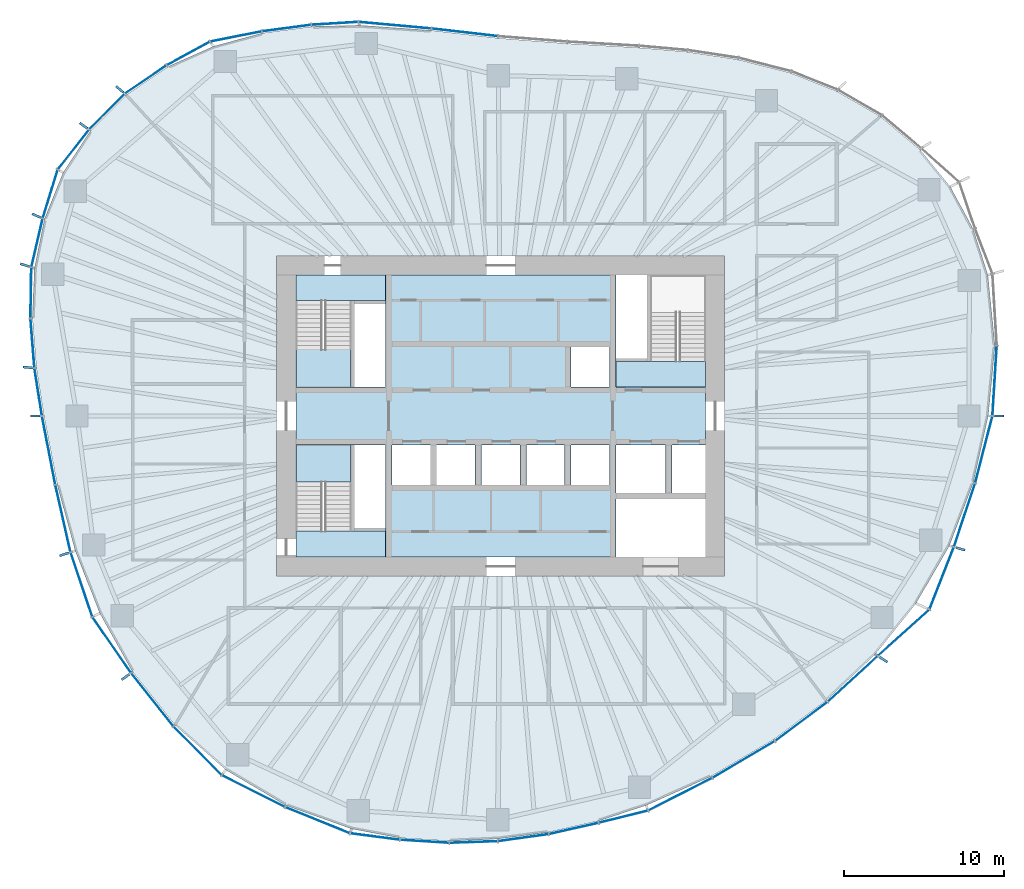
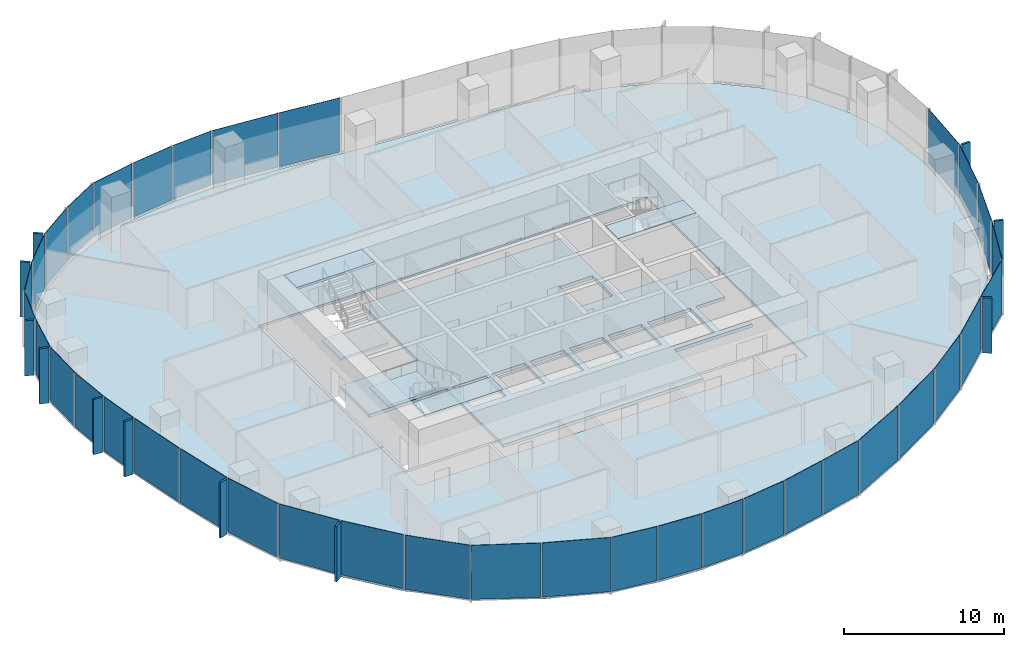
# One storey, part 7 of 18: 48 plates, 7 slabs, 19 elements without a shape of their own.
"""IFC4 building model written with IfcOpenShell, lengths in metres."""

from ifc_helpers import new_model, si_unit, direction, frame, origin, origin_2d, place, context, subcontext, project, spatial, polyline, rectangle, outline, extrude, material, layer, layer_set, type_object, element, aggregate, save


model = new_model("IFC4")

# Units and contexts
model_context = context("Model", 3, precision=1e-05, world=origin(), true_north=direction((0.0, 1.0)))
body_context = subcontext(model_context, "Body", "Model", "MODEL_VIEW")
ifc_project = project(units=[si_unit("LENGTHUNIT", "METRE"), si_unit("AREAUNIT", "SQUARE_METRE"), si_unit("VOLUMEUNIT", "CUBIC_METRE"), si_unit("PLANEANGLEUNIT", "RADIAN"), si_unit("MASSUNIT", "GRAM", prefix="KILO")], contexts=[model_context])

# Site, building, storey
site_placement = place(None, origin())
site = spatial("IfcSite", under=ifc_project, at=site_placement, CompositionType="ELEMENT")
building_placement = place(site_placement, origin())
building = spatial("IfcBuilding", under=site, at=building_placement, Name="Ghaith Harvest Tower", CompositionType="ELEMENT")
storey_placement = place(building_placement, frame((0.0, 0.0, 147.0)))
storey = spatial("IfcBuildingStorey", under=building, at=storey_placement, Name="L31", CompositionType="ELEMENT", Elevation=147.0)

# Curtain wall, plate
ifc_material_1 = material(Name="Black anodised aluminium and fritted glass", Category="aluminium")
curtain_wall_type = type_object("IfcCurtainWallType", Name="CW-L CURTAIN WALL", PredefinedType="NOTDEFINED", material=ifc_material_1)
curtain_wall_1_placement = place(storey_placement, origin())
curtain_wall_1 = element("IfcCurtainWall", 1, at=curtain_wall_1_placement, inside=storey, type_object=curtain_wall_type, Name="Curtain wall CW-L bay 01 L31", PredefinedType="NOTDEFINED")
ifc_material_2 = material(Name="Glass, dark solar-control fritted double glazed unit", Category="glass")
ifc_layer_1 = layer(ifc_material_2, 0.031982421875)
ifc_layer_set_1 = layer_set([ifc_layer_1], Name="CW-L VISION PANEL")
plate_type_1 = type_object("IfcPlateType", Name="CW-L VISION PANEL", PredefinedType="CURTAIN_PANEL", material=ifc_layer_set_1)
plate_1_placement = place(storey_placement, frame((30.86376953125, 2.19482421875, 0.079833984375), z_axis=(0.0, 0.0, 1.0), x_axis=(0.061379619468, 0.99811449359, 0.0)))
plate_1 = element("IfcPlate", 2, at=plate_1_placement, type_object=plate_type_1, Name="CW-L glass unit 1 bay 01 L31", PredefinedType="CURTAIN_PANEL", context=body_context, shape_type="SweptSolid", body=[
    extrude(rectangle(XDim=4.318115234375, YDim=0.031982421875, at=origin_2d()), origin(), (0.0, 0.0, 1.0), 4.1201171875),
])
aggregate(curtain_wall_1, [plate_1])

# Curtain wall, plates
curtain_wall_2_placement = place(storey_placement, origin())
curtain_wall_2 = element("IfcCurtainWall", 3, at=curtain_wall_2_placement, inside=storey, type_object=curtain_wall_type, Name="Curtain wall CW-L bay 06 L31", PredefinedType="NOTDEFINED")
plate_2_placement = place(storey_placement, frame((-2.24267578125, 23.968505859375, 0.079833984375), z_axis=(0.0, 0.0, 1.0), x_axis=(-0.993477024646, 0.114032458099, 0.0)))
plate_2 = element("IfcPlate", 4, at=plate_2_placement, type_object=plate_type_1, Name="CW-L glass unit 1 bay 06 L31", PredefinedType="CURTAIN_PANEL", context=body_context, shape_type="SweptSolid", body=[
    extrude(rectangle(XDim=4.10791015625, YDim=0.031982421875, at=origin_2d()), origin(), (0.0, 0.0, 1.0), 4.1201171875),
])
plate_3_placement = place(storey_placement, frame((-6.607666015625, 24.4140625, 0.079833984375), z_axis=(0.0, 0.0, 1.0), x_axis=(-0.995928776302, 0.090143621701, 0.0)))
plate_3 = element("IfcPlate", 5, at=plate_3_placement, type_object=plate_type_1, Name="CW-L glass unit 2 bay 06 L31", PredefinedType="CURTAIN_PANEL", context=body_context, shape_type="SweptSolid", body=[
    extrude(rectangle(XDim=4.508056640625, YDim=0.031982421875, at=origin_2d()), origin(), (0.0, 0.0, 1.0), 4.1201171875),
])
aggregate(curtain_wall_2, [plate_2, plate_3])

curtain_wall_3_placement = place(storey_placement, origin())
curtain_wall_3 = element("IfcCurtainWall", 6, at=curtain_wall_3_placement, inside=storey, type_object=curtain_wall_type, Name="Curtain wall CW-L bay 07 L31", PredefinedType="NOTDEFINED")
plate_4_placement = place(storey_placement, frame((-10.36669921875, 24.5302734375, 0.079833984375), z_axis=(0.0, 0.0, 1.0), x_axis=(-0.998119199641, -0.061303044853, 0.0)))
plate_4 = element("IfcPlate", 7, at=plate_4_placement, type_object=plate_type_1, Name="CW-L glass unit 1 bay 07 L31", PredefinedType="CURTAIN_PANEL", context=body_context, shape_type="SweptSolid", body=[
    extrude(rectangle(XDim=2.874267578125, YDim=0.031982421875, at=origin_2d()), origin(), (0.0, 0.0, 1.0), 4.1201171875),
])
plate_5_placement = place(storey_placement, frame((-13.382568359375, 24.23486328125, 0.079833984375), z_axis=(0.0, 0.0, 1.0), x_axis=(-0.991285895369, -0.131728029071, 0.0)))
plate_5 = element("IfcPlate", 8, at=plate_5_placement, type_object=plate_type_1, Name="CW-L glass unit 2 bay 07 L31", PredefinedType="CURTAIN_PANEL", context=body_context, shape_type="SweptSolid", body=[
    extrude(rectangle(XDim=3.02978515625, YDim=0.031982421875, at=origin_2d()), origin(), (0.0, 0.0, 1.0), 4.1201171875),
])
plate_6_placement = place(storey_placement, frame((-16.54443359375, 23.7099609375, 0.079833984375), z_axis=(0.0, 0.0, 1.0), x_axis=(-0.981037550101, -0.193817763096, 0.0)))
plate_6 = element("IfcPlate", 9, at=plate_6_placement, type_object=plate_type_1, Name="CW-L glass unit 3 bay 07 L31", PredefinedType="CURTAIN_PANEL", context=body_context, shape_type="SweptSolid", body=[
    extrude(rectangle(XDim=3.22412109375, YDim=0.031982421875, at=origin_2d()), origin(), (0.0, 0.0, 1.0), 4.1201171875),
])
aggregate(curtain_wall_3, [plate_4, plate_5, plate_6])

curtain_wall_4_placement = place(storey_placement, origin())
curtain_wall_4 = element("IfcCurtainWall", 10, at=curtain_wall_4_placement, inside=storey, type_object=curtain_wall_type, Name="Curtain wall CW-L bay 08 L31", PredefinedType="NOTDEFINED")
plate_7_placement = place(storey_placement, frame((-19.520263671875, 22.650634765625, 0.079833984375), z_axis=(0.0, 0.0, 1.0), x_axis=(-0.877940384665, -0.478769966659, 0.0)))
plate_7 = element("IfcPlate", 11, at=plate_7_placement, type_object=plate_type_1, Name="CW-L glass unit 1 bay 08 L31", PredefinedType="CURTAIN_PANEL", context=body_context, shape_type="SweptSolid", body=[
    extrude(rectangle(XDim=3.007080078125, YDim=0.031982421875, at=origin_2d()), origin(), (0.0, 0.0, 1.0), 4.1201171875),
])
plate_8_placement = place(storey_placement, frame((-22.182373046875, 21.025390625, 0.079833984375), z_axis=(0.0, 0.0, 1.0), x_axis=(-0.827674847773, -0.561207935051, 0.0)))
plate_8 = element("IfcPlate", 12, at=plate_8_placement, type_object=plate_type_1, Name="CW-L glass unit 2 bay 08 L31", PredefinedType="CURTAIN_PANEL", context=body_context, shape_type="SweptSolid", body=[
    extrude(rectangle(XDim=3.078369140625, YDim=0.031982421875, at=origin_2d()), origin(), (0.0, 0.0, 1.0), 4.1201171875),
])
plate_9_placement = place(storey_placement, frame((-24.603759765625, 19.01708984375, 0.079833984375), z_axis=(0.0, 0.0, 1.0), x_axis=(-0.704613943896, -0.709590861037, 0.0)))
plate_9 = element("IfcPlate", 13, at=plate_9_placement, type_object=plate_type_1, Name="CW-L glass unit 3 bay 08 L31", PredefinedType="CURTAIN_PANEL", context=body_context, shape_type="SweptSolid", body=[
    extrude(rectangle(XDim=3.0830078125, YDim=0.031982421875, at=origin_2d()), origin(), (0.0, 0.0, 1.0), 4.1201171875),
])
aggregate(curtain_wall_4, [plate_7, plate_8, plate_9])

curtain_wall_5_placement = place(storey_placement, origin())
curtain_wall_5 = element("IfcCurtainWall", 14, at=curtain_wall_5_placement, inside=storey, type_object=curtain_wall_type, Name="Curtain wall CW-L bay 09 L31", PredefinedType="NOTDEFINED")
plate_10_placement = place(storey_placement, frame((-26.69873046875, 16.644775390625, 0.079833984375), z_axis=(0.0, 0.0, 1.0), x_axis=(-0.617140806324, -0.786852734106, 0.0)))
plate_10 = element("IfcPlate", 15, at=plate_10_placement, type_object=plate_type_1, Name="CW-L glass unit 1 bay 09 L31", PredefinedType="CURTAIN_PANEL", context=body_context, shape_type="SweptSolid", body=[
    extrude(rectangle(XDim=3.09765625, YDim=0.031982421875, at=origin_2d()), origin(), (0.0, 0.0, 1.0), 4.1201171875),
])
plate_11_placement = place(storey_placement, frame((-28.14794921875, 13.869140625, 0.079833984375), z_axis=(0.0, 0.0, 1.0), x_axis=(-0.293802674087, -0.955866093498, 0.0)))
plate_11 = element("IfcPlate", 16, at=plate_11_placement, type_object=plate_type_1, Name="CW-L glass unit 2 bay 09 L31", PredefinedType="CURTAIN_PANEL", context=body_context, shape_type="SweptSolid", body=[
    extrude(rectangle(XDim=3.111328125, YDim=0.031982421875, at=origin_2d()), origin(), (0.0, 0.0, 1.0), 4.1201171875),
])
plate_12_placement = place(storey_placement, frame((-28.9716796875, 10.819091796875, 0.079833984375), z_axis=(0.0, 0.0, 1.0), x_axis=(-0.226698962458, -0.973964876379, 0.0)))
plate_12 = element("IfcPlate", 17, at=plate_12_placement, type_object=plate_type_1, Name="CW-L glass unit 3 bay 09 L31", PredefinedType="CURTAIN_PANEL", context=body_context, shape_type="SweptSolid", body=[
    extrude(rectangle(XDim=3.05126953125, YDim=0.031982421875, at=origin_2d()), origin(), (0.0, 0.0, 1.0), 4.1201171875),
])
aggregate(curtain_wall_5, [plate_10, plate_11, plate_12])

curtain_wall_6_placement = place(storey_placement, origin())
curtain_wall_6 = element("IfcCurtainWall", 18, at=curtain_wall_6_placement, inside=storey, type_object=curtain_wall_type, Name="Curtain wall CW-L bay 10 L31", PredefinedType="NOTDEFINED")
plate_13_placement = place(storey_placement, frame((-29.352294921875, 7.695068359375, 0.079833984375), z_axis=(0.0, 0.0, 1.0), x_axis=(-0.016034106433, -0.999871445452, 0.0)))
plate_13 = element("IfcPlate", 19, at=plate_13_placement, type_object=plate_type_1, Name="CW-L glass unit 1 bay 10 L31", PredefinedType="CURTAIN_PANEL", context=body_context, shape_type="SweptSolid", body=[
    extrude(rectangle(XDim=3.118408203125, YDim=0.031982421875, at=origin_2d()), origin(), (0.0, 0.0, 1.0), 4.1201171875),
])
plate_14_placement = place(storey_placement, frame((-29.25439453125, 4.54345703125, 0.079833984375), z_axis=(0.0, 0.0, 1.0), x_axis=(0.079273335663, -0.996852917061, 0.0)))
plate_14 = element("IfcPlate", 20, at=plate_14_placement, type_object=plate_type_1, Name="CW-L glass unit 2 bay 10 L31", PredefinedType="CURTAIN_PANEL", context=body_context, shape_type="SweptSolid", body=[
    extrude(rectangle(XDim=3.035400390625, YDim=0.031982421875, at=origin_2d()), origin(), (0.0, 0.0, 1.0), 4.1201171875),
])
plate_15_placement = place(storey_placement, frame((-28.896240234375, 1.495361328125, 0.079833984375), z_axis=(0.0, 0.0, 1.0), x_axis=(0.155172175389, -0.987887440949, 0.0)))
plate_15 = element("IfcPlate", 21, at=plate_15_placement, type_object=plate_type_1, Name="CW-L glass unit 3 bay 10 L31", PredefinedType="CURTAIN_PANEL", context=body_context, shape_type="SweptSolid", body=[
    extrude(rectangle(XDim=2.947265625, YDim=0.031982421875, at=origin_2d()), origin(), (0.0, 0.0, 1.0), 4.1201171875),
])
aggregate(curtain_wall_6, [plate_13, plate_14, plate_15])

curtain_wall_7_placement = place(storey_placement, origin())
curtain_wall_7 = element("IfcCurtainWall", 22, at=curtain_wall_7_placement, inside=storey, type_object=curtain_wall_type, Name="Curtain wall CW-L bay 11 L31", PredefinedType="NOTDEFINED")
plate_16_placement = place(storey_placement, frame((-28.24462890625, -2.152099609375, 0.079833984375), z_axis=(0.0, 0.0, 1.0), x_axis=(0.190044913274, -0.981775397399, 0.0)))
plate_16 = element("IfcPlate", 23, at=plate_16_placement, type_object=plate_type_1, Name="CW-L glass unit 1 bay 11 L31", PredefinedType="CURTAIN_PANEL", context=body_context, shape_type="SweptSolid", body=[
    extrude(rectangle(XDim=4.303955078125, YDim=0.031982421875, at=origin_2d()), origin(), (0.0, 0.0, 1.0), 4.1201171875),
])
plate_17_placement = place(storey_placement, frame((-27.351806640625, -6.41064453125, 0.079833984375), z_axis=(0.0, 0.0, 1.0), x_axis=(0.220483469245, -0.975390711351, 0.0)))
plate_17 = element("IfcPlate", 24, at=plate_17_placement, type_object=plate_type_1, Name="CW-L glass unit 2 bay 11 L31", PredefinedType="CURTAIN_PANEL", context=body_context, shape_type="SweptSolid", body=[
    extrude(rectangle(XDim=4.239501953125, YDim=0.031982421875, at=origin_2d()), origin(), (0.0, 0.0, 1.0), 4.1201171875),
])
aggregate(curtain_wall_7, [plate_16, plate_17])

curtain_wall_8_placement = place(storey_placement, origin())
curtain_wall_8 = element("IfcCurtainWall", 25, at=curtain_wall_8_placement, inside=storey, type_object=curtain_wall_type, Name="Curtain wall CW-L bay 12 L31", PredefinedType="NOTDEFINED")
plate_18_placement = place(storey_placement, frame((-26.194580078125, -10.537841796875, 0.079833984375), z_axis=(0.0, 0.0, 1.0), x_axis=(0.319477383729, -0.947593901039, 0.0)))
plate_18 = element("IfcPlate", 26, at=plate_18_placement, type_object=plate_type_1, Name="CW-L glass unit 1 bay 12 L31", PredefinedType="CURTAIN_PANEL", context=body_context, shape_type="SweptSolid", body=[
    extrude(rectangle(XDim=4.184326171875, YDim=0.031982421875, at=origin_2d()), origin(), (0.0, 0.0, 1.0), 4.1201171875),
])
plate_19_placement = place(storey_placement, frame((-24.3017578125, -14.312255859375, 0.079833984375), z_axis=(0.0, 0.0, 1.0), x_axis=(0.568347699633, -0.822788485774, 0.0)))
plate_19 = element("IfcPlate", 27, at=plate_19_placement, type_object=plate_type_1, Name="CW-L glass unit 2 bay 12 L31", PredefinedType="CURTAIN_PANEL", context=body_context, shape_type="SweptSolid", body=[
    extrude(rectangle(XDim=4.18359375, YDim=0.031982421875, at=origin_2d()), origin(), (0.0, 0.0, 1.0), 4.1201171875),
])
aggregate(curtain_wall_8, [plate_18, plate_19])

curtain_wall_9_placement = place(storey_placement, origin())
curtain_wall_9 = element("IfcCurtainWall", 28, at=curtain_wall_9_placement, inside=storey, type_object=curtain_wall_type, Name="Curtain wall CW-L bay 13 L31", PredefinedType="NOTDEFINED")
plate_20_placement = place(storey_placement, frame((-21.765625, -17.7314453125, 0.079833984375), z_axis=(0.0, 0.0, 1.0), x_axis=(0.622507360482, -0.782613944513, 0.0)))
plate_20 = element("IfcPlate", 29, at=plate_20_placement, type_object=plate_type_1, Name="CW-L glass unit 1 bay 13 L31", PredefinedType="CURTAIN_PANEL", context=body_context, shape_type="SweptSolid", body=[
    extrude(rectangle(XDim=4.175537109375, YDim=0.031982421875, at=origin_2d()), origin(), (0.0, 0.0, 1.0), 4.1201171875),
])
plate_21_placement = place(storey_placement, frame((-18.935791015625, -20.920166015625, 0.079833984375), z_axis=(0.0, 0.0, 1.0), x_axis=(0.702843151286, -0.711344856375, 0.0)))
plate_21 = element("IfcPlate", 30, at=plate_21_placement, type_object=plate_type_1, Name="CW-L glass unit 2 bay 13 L31", PredefinedType="CURTAIN_PANEL", context=body_context, shape_type="SweptSolid", body=[
    extrude(rectangle(XDim=4.203369140625, YDim=0.031982421875, at=origin_2d()), origin(), (0.0, 0.0, 1.0), 4.1201171875),
])
aggregate(curtain_wall_9, [plate_20, plate_21])

curtain_wall_10_placement = place(storey_placement, origin())
curtain_wall_10 = element("IfcCurtainWall", 31, at=curtain_wall_10_placement, inside=storey, type_object=curtain_wall_type, Name="Curtain wall CW-L bay 14 L31", PredefinedType="NOTDEFINED")
plate_22_placement = place(storey_placement, frame((-15.44677734375, -23.443115234375, 0.079833984375), z_axis=(0.0, 0.0, 1.0), x_axis=(0.893062297869, -0.449933030712, 0.0)))
plate_22 = element("IfcPlate", 32, at=plate_22_placement, type_object=plate_type_1, Name="CW-L glass unit 1 bay 14 L31", PredefinedType="CURTAIN_PANEL", context=body_context, shape_type="SweptSolid", body=[
    extrude(rectangle(XDim=4.362548828125, YDim=0.031982421875, at=origin_2d()), origin(), (0.0, 0.0, 1.0), 4.1201171875),
])
plate_23_placement = place(storey_placement, frame((-11.441162109375, -25.260498046875, 0.079833984375), z_axis=(0.0, 0.0, 1.0), x_axis=(0.927002522537, -0.375055093567, 0.0)))
plate_23 = element("IfcPlate", 33, at=plate_23_placement, type_object=plate_type_1, Name="CW-L glass unit 2 bay 14 L31", PredefinedType="CURTAIN_PANEL", context=body_context, shape_type="SweptSolid", body=[
    extrude(rectangle(XDim=4.282470703125, YDim=0.031982421875, at=origin_2d()), origin(), (0.0, 0.0, 1.0), 4.1201171875),
])
aggregate(curtain_wall_10, [plate_22, plate_23])

curtain_wall_11_placement = place(storey_placement, origin())
curtain_wall_11 = element("IfcCurtainWall", 34, at=curtain_wall_11_placement, inside=storey, type_object=curtain_wall_type, Name="Curtain wall CW-L bay 15 L31", PredefinedType="NOTDEFINED")
plate_24_placement = place(storey_placement, frame((-7.856689453125, -26.281005859375, 0.079833984375), z_axis=(0.0, 0.0, 1.0), x_axis=(0.99172348392, -0.128392100386, 0.0)))
plate_24 = element("IfcPlate", 35, at=plate_24_placement, type_object=plate_type_1, Name="CW-L glass unit 1 bay 15 L31", PredefinedType="CURTAIN_PANEL", context=body_context, shape_type="SweptSolid", body=[
    extrude(rectangle(XDim=3.07080078125, YDim=0.031982421875, at=origin_2d()), origin(), (0.0, 0.0, 1.0), 4.1201171875),
])
plate_25_placement = place(storey_placement, frame((-4.7568359375, -26.57958984375, 0.079833984375), z_axis=(0.0, 0.0, 1.0), x_axis=(0.998038280843, -0.062606628824, 0.0)))
plate_25 = element("IfcPlate", 36, at=plate_25_placement, type_object=plate_type_1, Name="CW-L glass unit 2 bay 15 L31", PredefinedType="CURTAIN_PANEL", context=body_context, shape_type="SweptSolid", body=[
    extrude(rectangle(XDim=3.001220703125, YDim=0.031982421875, at=origin_2d()), origin(), (0.0, 0.0, 1.0), 4.1201171875),
])
plate_26_placement = place(storey_placement, frame((-1.700439453125, -26.624755859375, 0.079833984375), z_axis=(0.0, 0.0, 1.0), x_axis=(0.999431515426, 0.033714180603, 0.0)))
plate_26 = element("IfcPlate", 37, at=plate_26_placement, type_object=plate_type_1, Name="CW-L glass unit 3 bay 15 L31", PredefinedType="CURTAIN_PANEL", context=body_context, shape_type="SweptSolid", body=[
    extrude(rectangle(XDim=2.958984375, YDim=0.031982421875, at=origin_2d()), origin(), (0.0, 0.0, 1.0), 4.1201171875),
])
aggregate(curtain_wall_11, [plate_24, plate_25, plate_26])

curtain_wall_12_placement = place(storey_placement, origin())
curtain_wall_12 = element("IfcCurtainWall", 38, at=curtain_wall_12_placement, inside=storey, type_object=curtain_wall_type, Name="Curtain wall CW-L bay 16 L31", PredefinedType="NOTDEFINED")
plate_27_placement = place(storey_placement, frame((1.4140625, -26.3515625, 0.079833984375), z_axis=(0.0, 0.0, 1.0), x_axis=(0.990448098003, 0.137886058621, 0.0)))
plate_27 = element("IfcPlate", 39, at=plate_27_placement, type_object=plate_type_1, Name="CW-L glass unit 1 bay 16 L31", PredefinedType="CURTAIN_PANEL", context=body_context, shape_type="SweptSolid", body=[
    extrude(rectangle(XDim=3.142578125, YDim=0.031982421875, at=origin_2d()), origin(), (0.0, 0.0, 1.0), 4.1201171875),
])
plate_28_placement = place(storey_placement, frame((4.565185546875, -25.77734375, 0.079833984375), z_axis=(0.0, 0.0, 1.0), x_axis=(0.975341754172, 0.220699937852, 0.0)))
plate_28 = element("IfcPlate", 40, at=plate_28_placement, type_object=plate_type_1, Name="CW-L glass unit 2 bay 16 L31", PredefinedType="CURTAIN_PANEL", context=body_context, shape_type="SweptSolid", body=[
    extrude(rectangle(XDim=3.10888671875, YDim=0.031982421875, at=origin_2d()), origin(), (0.0, 0.0, 1.0), 4.1201171875),
])
plate_29_placement = place(storey_placement, frame((7.66845703125, -25.0400390625, 0.079833984375), z_axis=(0.0, 0.0, 1.0), x_axis=(0.970384283801, 0.241566433413, 0.0)))
plate_29 = element("IfcPlate", 41, at=plate_29_placement, type_object=plate_type_1, Name="CW-L glass unit 3 bay 16 L31", PredefinedType="CURTAIN_PANEL", context=body_context, shape_type="SweptSolid", body=[
    extrude(rectangle(XDim=3.111083984375, YDim=0.031982421875, at=origin_2d()), origin(), (0.0, 0.0, 1.0), 4.1201171875),
])
aggregate(curtain_wall_12, [plate_27, plate_28, plate_29])

curtain_wall_13_placement = place(storey_placement, origin())
curtain_wall_13 = element("IfcCurtainWall", 42, at=curtain_wall_13_placement, inside=storey, type_object=curtain_wall_type, Name="Curtain wall CW-L bay 17 L31", PredefinedType="NOTDEFINED")
plate_30_placement = place(storey_placement, frame((11.220703125, -23.63427734375, 0.079833984375), z_axis=(0.0, 0.0, 1.0), x_axis=(0.891126766056, 0.453754434489, 0.0)))
plate_30 = element("IfcPlate", 43, at=plate_30_placement, type_object=plate_type_1, Name="CW-L glass unit 1 bay 17 L31", PredefinedType="CURTAIN_PANEL", context=body_context, shape_type="SweptSolid", body=[
    extrude(rectangle(XDim=4.417236328125, YDim=0.031982421875, at=origin_2d()), origin(), (0.0, 0.0, 1.0), 4.1201171875),
])
plate_31_placement = place(storey_placement, frame((15.17822265625, -21.46484375, 0.079833984375), z_axis=(0.0, 0.0, 1.0), x_axis=(0.861979497965, 0.506943137924, 0.0)))
plate_31 = element("IfcPlate", 44, at=plate_31_placement, type_object=plate_type_1, Name="CW-L glass unit 2 bay 17 L31", PredefinedType="CURTAIN_PANEL", context=body_context, shape_type="SweptSolid", body=[
    extrude(rectangle(XDim=4.453125, YDim=0.031982421875, at=origin_2d()), origin(), (0.0, 0.0, 1.0), 4.1201171875),
])
aggregate(curtain_wall_13, [plate_30, plate_31])

curtain_wall_14_placement = place(storey_placement, origin())
curtain_wall_14 = element("IfcCurtainWall", 45, at=curtain_wall_14_placement, inside=storey, type_object=curtain_wall_type, Name="Curtain wall CW-L bay 18 L31", PredefinedType="NOTDEFINED")
plate_32_placement = place(storey_placement, frame((18.78076171875, -19.08984375, 0.079833984375), z_axis=(0.0, 0.0, 1.0), x_axis=(0.802462370117, 0.596702727115, 0.0)))
plate_32 = element("IfcPlate", 46, at=plate_32_placement, type_object=plate_type_1, Name="CW-L glass unit 1 bay 18 L31", PredefinedType="CURTAIN_PANEL", context=body_context, shape_type="SweptSolid", body=[
    extrude(rectangle(XDim=4.029541015625, YDim=0.031982421875, at=origin_2d()), origin(), (0.0, 0.0, 1.0), 4.1201171875),
])
plate_33_placement = place(storey_placement, frame((21.9951171875, -16.428955078125, 0.079833984375), z_axis=(0.0, 0.0, 1.0), x_axis=(0.737201663563, 0.675672781189, 0.0)))
plate_33 = element("IfcPlate", 47, at=plate_33_placement, type_object=plate_type_1, Name="CW-L glass unit 2 bay 18 L31", PredefinedType="CURTAIN_PANEL", context=body_context, shape_type="SweptSolid", body=[
    extrude(rectangle(XDim=4.1669921875, YDim=0.031982421875, at=origin_2d()), origin(), (0.0, 0.0, 1.0), 4.1201171875),
])
aggregate(curtain_wall_14, [plate_32, plate_33])

curtain_wall_15_placement = place(storey_placement, origin())
curtain_wall_15 = element("IfcCurtainWall", 48, at=curtain_wall_15_placement, inside=storey, type_object=curtain_wall_type, Name="Curtain wall CW-L bay 19 L31", PredefinedType="NOTDEFINED")
plate_34_placement = place(storey_placement, frame((25.17333984375, -13.54345703125, 0.079833984375), z_axis=(0.0, 0.0, 1.0), x_axis=(0.743493028761, 0.668743684968, 0.0)))
plate_34 = element("IfcPlate", 49, at=plate_34_placement, type_object=plate_type_1, Name="CW-L glass unit 1 bay 19 L31", PredefinedType="CURTAIN_PANEL", context=body_context, shape_type="SweptSolid", body=[
    extrude(rectangle(XDim=4.2587890625, YDim=0.031982421875, at=origin_2d()), origin(), (0.0, 0.0, 1.0), 4.1201171875),
])
plate_35_placement = place(storey_placement, frame((27.552978515625, -10.138916015625, 0.079833984375), z_axis=(0.0, 0.0, 1.0), x_axis=(0.365226458984, 0.930918704108, 0.0)))
plate_35 = element("IfcPlate", 50, at=plate_35_placement, type_object=plate_type_1, Name="CW-L glass unit 2 bay 19 L31", PredefinedType="CURTAIN_PANEL", context=body_context, shape_type="SweptSolid", body=[
    extrude(rectangle(XDim=4.11767578125, YDim=0.031982421875, at=origin_2d()), origin(), (0.0, 0.0, 1.0), 4.1201171875),
])
aggregate(curtain_wall_15, [plate_34, plate_35])

curtain_wall_16_placement = place(storey_placement, origin())
curtain_wall_16 = element("IfcCurtainWall", 51, at=curtain_wall_16_placement, inside=storey, type_object=curtain_wall_type, Name="Curtain wall CW-L bay 20 L31", PredefinedType="NOTDEFINED")
plate_36_placement = place(storey_placement, frame((28.982666015625, -6.191650390625, 0.079833984375), z_axis=(0.0, 0.0, 1.0), x_axis=(0.315708038084, 0.948856382541, 0.0)))
plate_36 = element("IfcPlate", 52, at=plate_36_placement, type_object=plate_type_1, Name="CW-L glass unit 1 bay 20 L31", PredefinedType="CURTAIN_PANEL", context=body_context, shape_type="SweptSolid", body=[
    extrude(rectangle(XDim=4.12158203125, YDim=0.031982421875, at=origin_2d()), origin(), (0.0, 0.0, 1.0), 4.1201171875),
])
plate_37_placement = place(storey_placement, frame((30.187255859375, -2.09912109375, 0.079833984375), z_axis=(0.0, 0.0, 1.0), x_axis=(0.24974411022, 0.968311870944, 0.0)))
plate_37 = element("IfcPlate", 53, at=plate_37_placement, type_object=plate_type_1, Name="CW-L glass unit 2 bay 20 L31", PredefinedType="CURTAIN_PANEL", context=body_context, shape_type="SweptSolid", body=[
    extrude(rectangle(XDim=4.255615234375, YDim=0.031982421875, at=origin_2d()), origin(), (0.0, 0.0, 1.0), 4.1201171875),
])
aggregate(curtain_wall_16, [plate_36, plate_37])

# Slabs
ifc_material_3 = material(Name="Concrete C40/50", Category="concrete")
ifc_layer_2 = layer(ifc_material_3, 0.169921875)
ifc_layer_set_2 = layer_set([ifc_layer_2], Name="FLOOR SLAB 170")
slab_type_1 = type_object("IfcSlabType", Name="FLOOR SLAB 170", PredefinedType="FLOOR", material=ifc_layer_set_2)
slab_1_placement = place(storey_placement, frame((0.0, 0.0, -0.169921875)))
element("IfcSlab", 54, at=slab_1_placement, inside=storey, type_object=slab_type_1, Name="Floor slab L31", PredefinedType="FLOOR", context=body_context, shape_type="SweptSolid", body=[
    extrude(outline(polyline([(30.458740234375, 0.0), (30.8798828125, 4.373046875), (30.439208984375, 8.797607421875), (29.52294921875, 11.671875), (28.0888671875, 14.32568359375), (26.179443359375, 16.660888671875), (23.7275390625, 18.718017578125), (20.97998046875, 20.3056640625), (18.0849609375, 21.4462890625), (14.79833984375, 22.27978515625), (11.617919921875, 22.757080078125), (8.604736328125, 23.017333984375), (4.125732421875, 23.272705078125), (-0.16162109375, 23.609619140625), (-4.302001953125, 24.089111328125), (-8.814208984375, 24.404541015625), (-11.788818359375, 24.331787109375), (-14.860595703125, 23.927978515625), (-17.938232421875, 23.097412109375), (-20.79248046875, 21.82470703125), (-23.398193359375, 20.06103515625), (-25.61962890625, 17.826416015625), (-27.33837890625, 15.204833984375), (-28.506591796875, 12.29638671875), (-29.12646484375, 9.230712890625), (-29.260498046875, 6.07177734375), (-29.01171875, 2.978271484375), (-28.541259765625, 0.0), (-27.70947265625, -4.285888671875), (-26.580078125, -8.423583984375), (-25.046875, -12.32861328125), (-22.99169921875, -15.997802734375), (-20.35400390625, -19.31396484375), (-17.1728515625, -22.11181640625), (-13.4052734375, -24.33740234375), (-9.317138671875, -25.79638671875), (-6.2666015625, -26.366455078125), (-3.204833984375, -26.556884765625), (-0.180908203125, -26.423583984375), (2.99609375, -26.010009765625), (6.09228515625, -25.308837890625), (9.09423828125, -24.326904296875), (13.163818359375, -22.510498046875), (17.054443359375, -20.22412109375), (20.33935546875, -17.784912109375), (23.400390625, -14.89208984375), (25.94775390625, -11.714111328125), (28.03125, -8.1015625), (29.527099609375, -4.181396484375), (30.458740234375, 0.0)]), holes=[polyline([(-14.0, -10.0), (14.0, -10.0), (14.0, 10.0), (-14.0, 10.0), (-14.0, -10.0)])]), origin(), (0.0, 0.0, 1.0), 0.169921875),
])
ifc_material_4 = material(Name="Concrete C40/50", Category="concrete")
ifc_layer_3 = layer(ifc_material_4, 0.25)
ifc_layer_set_3 = layer_set([ifc_layer_3], Name="FLOOR SLAB 250")
slab_type_2 = type_object("IfcSlabType", Name="FLOOR SLAB 250", PredefinedType="FLOOR", material=ifc_layer_set_3)
slab_2_placement = place(storey_placement, frame((0.0, 0.0, -0.25)))
element("IfcSlab", 55, at=slab_2_placement, inside=storey, type_object=slab_type_2, Name="Core slab L31", PredefinedType="FLOOR", context=body_context, shape_type="SweptSolid", body=[
    extrude(outline(polyline([(-12.800048828125, 1.800048828125), (-7.199951171875, 1.800048828125), (-7.199951171875, 8.800048828125), (7.199951171875, 8.800048828125), (7.199951171875, 1.800048828125), (12.800048828125, 1.800048828125), (12.800048828125, -1.800048828125), (10.699951171875, -1.800048828125), (10.699951171875, -4.800048828125), (12.800048828125, -4.800048828125), (12.800048828125, -5.199951171875), (7.199951171875, -5.199951171875), (7.199951171875, -8.800048828125), (-7.199951171875, -8.800048828125), (-7.199951171875, -1.800048828125), (-12.800048828125, -1.800048828125), (-12.800048828125, 1.800048828125)]), holes=[polyline([(-4.39990234375, -4.300048828125), (-4.39990234375, -1.800048828125), (-6.800048828125, -1.800048828125), (-6.800048828125, -4.300048828125), (-4.39990234375, -4.300048828125)]), polyline([(-1.60009765625, -4.300048828125), (-1.60009765625, -1.800048828125), (-4.0, -1.800048828125), (-4.0, -4.300048828125), (-1.60009765625, -4.300048828125)]), polyline([(1.199951171875, -1.800048828125), (-1.199951171875, -1.800048828125), (-1.199951171875, -4.300048828125), (1.199951171875, -4.300048828125), (1.199951171875, -1.800048828125)]), polyline([(4.0, -4.300048828125), (4.0, -1.800048828125), (1.60009765625, -1.800048828125), (1.60009765625, -4.300048828125), (4.0, -4.300048828125)]), polyline([(10.300048828125, -4.800048828125), (10.300048828125, -1.800048828125), (7.199951171875, -1.800048828125), (7.199951171875, -4.800048828125), (10.300048828125, -4.800048828125)]), polyline([(6.800048828125, -1.800048828125), (4.39990234375, -1.800048828125), (4.39990234375, -4.300048828125), (6.800048828125, -4.300048828125), (6.800048828125, -1.800048828125)]), polyline([(6.800048828125, 1.800048828125), (6.800048828125, 4.300048828125), (4.39990234375, 4.300048828125), (4.39990234375, 1.800048828125), (6.800048828125, 1.800048828125)])]), origin(), (0.0, 0.0, 1.0), 0.25),
])

# Stair, slabs
ifc_material_5 = material(Name="Concrete C40/50, precast", Category="concrete")
stair_type = type_object("IfcStairType", Name="CORE STAIR 24R", PredefinedType="HALF_TURN_STAIR", material=ifc_material_5)
stair_1_placement = place(storey_placement, origin())
stair_1 = element("IfcStair", 56, at=stair_1_placement, inside=storey, type_object=stair_type, Name="Stair ST1 L31", PredefinedType="HALF_TURN_STAIR")
ifc_material_6 = material(Name="Concrete C40/50, precast", Category="concrete")
ifc_layer_4 = layer(ifc_material_6, 0.179931640625)
ifc_layer_set_4 = layer_set([ifc_layer_4], Name="STAIR LANDING 180")
slab_type_3 = type_object("IfcSlabType", Name="STAIR LANDING 180", PredefinedType="LANDING", material=ifc_layer_set_4)
slab_3_placement = place(storey_placement, frame((0.0, 0.0, 1.919921875)))
slab_3 = element("IfcSlab", 57, at=slab_3_placement, type_object=slab_type_3, Name="ST1 landing 1", PredefinedType="LANDING", context=body_context, shape_type="SweptSolid", body=[
    extrude(outline(polyline([(-12.800048828125, 4.139892578125), (-12.800048828125, 1.77490234375), (-9.35009765625, 1.77490234375), (-9.35009765625, 4.139892578125), (-12.800048828125, 4.139892578125)])), origin(), (0.0, 0.0, 1.0), 0.18017578125),
])
slab_4_placement = place(storey_placement, frame((0.0, 0.0, 4.02001953125)))
slab_4 = element("IfcSlab", 58, at=slab_4_placement, type_object=slab_type_3, Name="ST1 landing 2", PredefinedType="LANDING", context=body_context, shape_type="SweptSolid", body=[
    extrude(outline(polyline([(-12.800048828125, 8.800048828125), (-12.800048828125, 7.199951171875), (-7.199951171875, 7.199951171875), (-7.199951171875, 8.800048828125), (-12.800048828125, 8.800048828125)])), origin(), (0.0, 0.0, 1.0), 0.179931640625),
])
aggregate(stair_1, [slab_3, slab_4])

stair_2_placement = place(storey_placement, origin())
stair_2 = element("IfcStair", 59, at=stair_2_placement, inside=storey, type_object=stair_type, Name="Stair ST3 L31", PredefinedType="HALF_TURN_STAIR")
slab_5_placement = place(storey_placement, frame((0.0, 0.0, 1.919921875)))
slab_5 = element("IfcSlab", 60, at=slab_5_placement, type_object=slab_type_3, Name="ST3 landing 1", PredefinedType="LANDING", context=body_context, shape_type="SweptSolid", body=[
    extrude(outline(polyline([(-12.800048828125, -4.139892578125), (-12.800048828125, -1.77490234375), (-9.35009765625, -1.77490234375), (-9.35009765625, -4.139892578125), (-12.800048828125, -4.139892578125)])), origin(), (0.0, 0.0, 1.0), 0.18017578125),
])
slab_6_placement = place(storey_placement, frame((0.0, 0.0, 4.02001953125)))
slab_6 = element("IfcSlab", 61, at=slab_6_placement, type_object=slab_type_3, Name="ST3 landing 2", PredefinedType="LANDING", context=body_context, shape_type="SweptSolid", body=[
    extrude(outline(polyline([(-12.800048828125, -8.800048828125), (-12.800048828125, -7.199951171875), (-7.199951171875, -7.199951171875), (-7.199951171875, -8.800048828125), (-12.800048828125, -8.800048828125)])), origin(), (0.0, 0.0, 1.0), 0.179931640625),
])
aggregate(stair_2, [slab_5, slab_6])

# Stair, slab
stair_3_placement = place(storey_placement, origin())
stair_3 = element("IfcStair", 62, at=stair_3_placement, inside=storey, type_object=stair_type, Name="Stair ST2 L31", PredefinedType="HALF_TURN_STAIR")
slab_7_placement = place(storey_placement, frame((0.0, 0.0, 4.02001953125)))
slab_7 = element("IfcSlab", 63, at=slab_7_placement, type_object=slab_type_3, Name="ST2 landing 2", PredefinedType="LANDING", context=body_context, shape_type="SweptSolid", body=[
    extrude(outline(polyline([(12.800048828125, 1.800048828125), (12.800048828125, 3.39990234375), (7.199951171875, 3.39990234375), (7.199951171875, 1.800048828125), (12.800048828125, 1.800048828125)])), origin(), (0.0, 0.0, 1.0), 0.179931640625),
])
aggregate(stair_3, [slab_7])

# Plates
ifc_material_7 = material(Name="Glassfibre-reinforced concrete", Category="concrete")
ifc_layer_5 = layer(ifc_material_7, 0.14990234375)
ifc_layer_set_5 = layer_set([ifc_layer_5], Name="SUN-BREAKER FIN 600x150")
plate_type_2 = type_object("IfcPlateType", Name="SUN-BREAKER FIN 600x150", PredefinedType="USERDEFINED", material=ifc_layer_set_5)
for number, where, z_axis, x_axis, name in (
    (64, (31.148681640625, 0.0, 0.0), (0.0, 0.0, 1.0), (1.0, 0.0, 0.0), "Sun-breaker fin CW-L 1 bay 01 L31"),
    (65, (-23.808349609375, 20.41259765625, 0.0), (0.0, 0.0, 1.0), (-0.759169742643, 0.650892696115, 0.0), "Sun-breaker fin CW-L 3 bay 08 L31"),
    (66, (-26.06298828125, 18.134765625, 0.0), (0.0, 0.0, 1.0), (-0.820845486523, 0.571150319316, 0.0), "Sun-breaker fin CW-L 1 bay 09 L31"),
    (67, (-29.00244140625, 12.51025390625, 0.0), (0.0, 0.0, 1.0), (-0.918217993215, 0.396075392995, 0.0), "Sun-breaker fin CW-L 3 bay 09 L31"),
    (68, (-29.72705078125, 9.4208984375, 0.0), (0.0, 0.0, 1.0), (-0.953273219358, 0.302109531884, 0.0), "Sun-breaker fin CW-L 1 bay 10 L31"),
    (69, (-29.548828125, 3.033447265625, 0.0), (0.0, 0.0, 1.0), (-0.994771752973, 0.102123256344, 0.0), "Sun-breaker fin CW-L 3 bay 10 L31"),
    (70, (-29.081298828125, 0.0, 0.0), (0.0, 0.0, 1.0), (-1.0, -4.19e-10, 0.0), "Sun-breaker fin CW-L 1 bay 11 L31"),
    (71, (-27.276123046875, -8.644287109375, 0.0), (0.0, 0.0, 1.0), (-0.953273219416, -0.302109531701, 0.0), "Sun-breaker fin CW-L 1 bay 12 L31"),
    (72, (-23.434814453125, -16.30615234375, 0.0), (0.0, 0.0, 1.0), (-0.820845486622, -0.571150319173, 0.0), "Sun-breaker fin CW-L 1 bay 13 L31"),
    (73, (23.914794921875, -15.2197265625, 0.0), (0.0, 0.0, 1.0), (0.84364397137, -0.536903016913, 0.0), "Sun-breaker fin CW-L 1 bay 19 L31"),
    (74, (28.722900390625, -8.301513671875, 0.0), (0.0, 0.0, 1.0), (0.960680349932, -0.277656739976, 0.0), "Sun-breaker fin CW-L 1 bay 20 L31"),
):
    element("IfcPlate", number, at=place(storey_placement, frame(where, z_axis=z_axis, x_axis=x_axis)), inside=storey, type_object=plate_type_2, Name=name, ObjectType="SUN-BREAKER FIN", PredefinedType="USERDEFINED", context=body_context, shape_type="SweptSolid", body=[
        extrude(rectangle(XDim=0.60009765625, YDim=0.14990234375, at=origin_2d()), origin(), (0.0, 0.0, 1.0), 4.199951171875),
    ])

save(model, "model.ifc")
